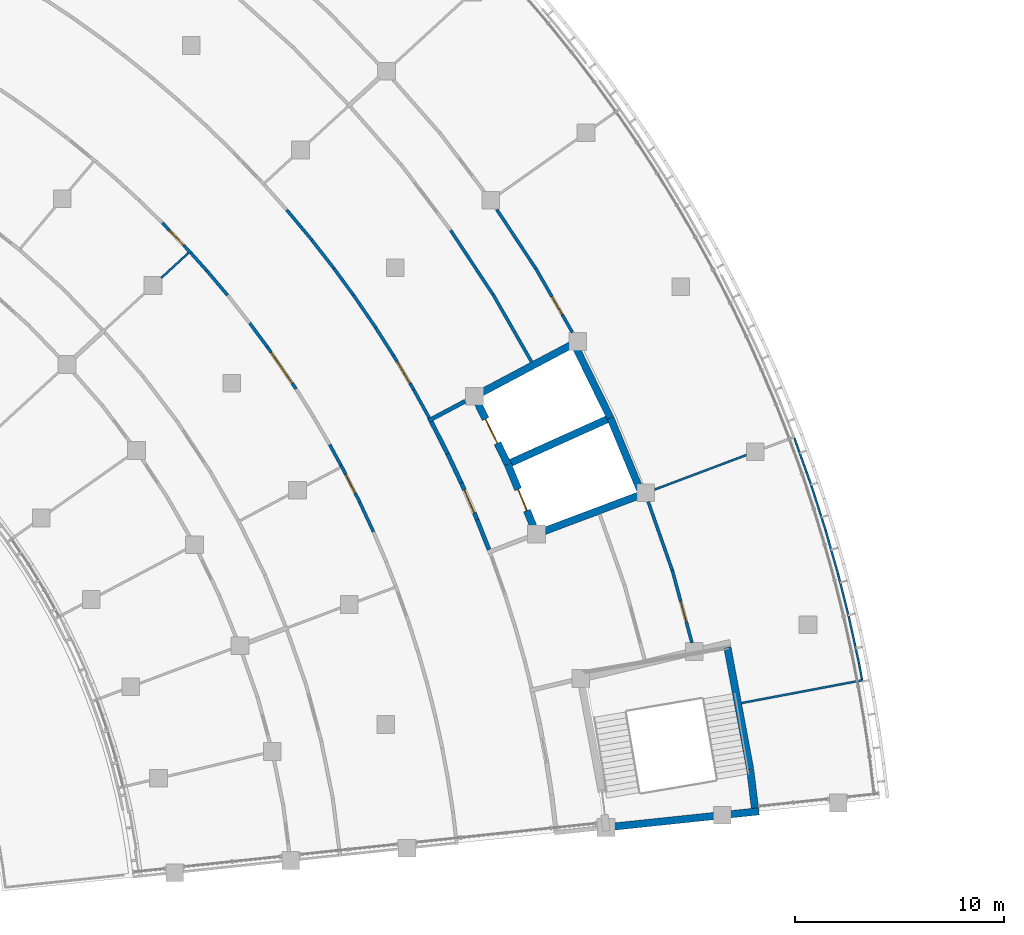
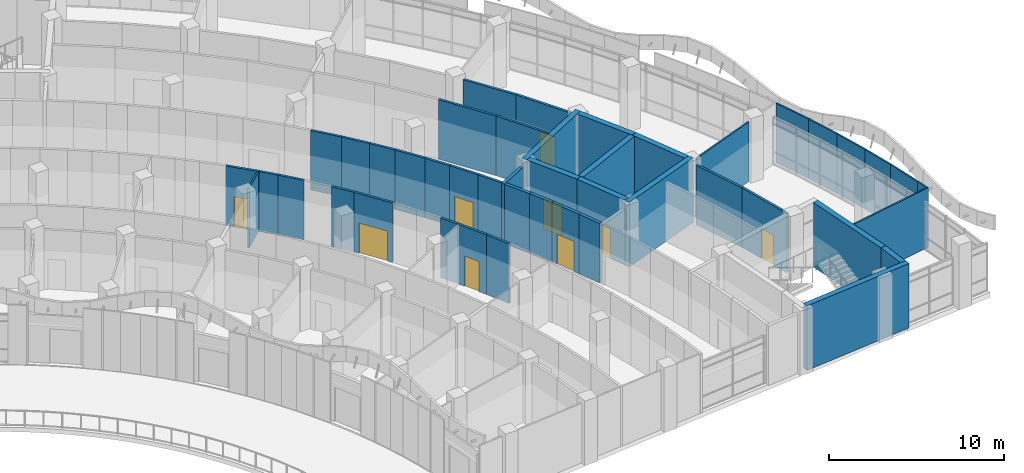
# One storey, part 78 of 136: 45 walls, 9 doors, 9 openings.
"""IFC4 building model written with IfcOpenShell, lengths in metres."""

from ifc_helpers import new_model, si_unit, direction, frame, frame_2d, origin, place, context, subcontext, project, spatial, rectangle, extrude, material, layer, layer_set, type_object, element, fill, save


model = new_model("IFC4")

# Units and contexts
model_context = context("Model", 3, precision=1e-05, world=origin(), true_north=direction((0.0, 1.0)))
body_context = subcontext(model_context, "Body", "Model", "MODEL_VIEW")
ifc_project = project(units=[si_unit("LENGTHUNIT", "METRE"), si_unit("AREAUNIT", "SQUARE_METRE"), si_unit("VOLUMEUNIT", "CUBIC_METRE"), si_unit("PLANEANGLEUNIT", "RADIAN"), si_unit("MASSUNIT", "GRAM", prefix="KILO")], contexts=[model_context])

# Site, building, storey
site_placement = place(None, origin())
site = spatial("IfcSite", under=ifc_project, at=site_placement, CompositionType="ELEMENT")
building_placement = place(site_placement, origin())
building = spatial("IfcBuilding", under=site, at=building_placement, Name="Bougainvillea Quay General Hospital", CompositionType="ELEMENT")
storey_placement = place(building_placement, frame((0.0, 0.0, 5.39990234375)))
storey = spatial("IfcBuildingStorey", under=building, at=storey_placement, Name="L01", CompositionType="ELEMENT", Elevation=5.39990234375)

# Walls
ifc_material_1 = material(Name="Gypsum board partition on steel studs", Category="steel")
ifc_layer_1 = layer(ifc_material_1, 0.10009765625)
ifc_layer_set_1 = layer_set([ifc_layer_1], Name="Gypsum board partition on steel studs")
wall_type_1 = type_object("IfcWallType", Name="Partition 100 Gypsum board partition EI 30", PredefinedType="PARTITIONING", material=ifc_layer_set_1)
wall_1_placement = place(storey_placement, frame((168.016357421875, 44.14013671875, 0.0), z_axis=(0.0, 0.0, 1.0), x_axis=(0.935850976525, 0.352396012659, 0.0)))
element("IfcWall", 1, at=wall_1_placement, inside=storey, type_object=wall_type_1, Name="Partition 100 mm EI 30", PredefinedType="PARTITIONING", context=body_context, shape_type="SweptSolid", body=[
    extrude(rectangle(XDim=4.708251953125, YDim=0.10009765625, at=frame_2d((2.35400390625, 0.0))), origin(), (0.0, 0.0, 1.0), 4.150146484375),
])
wall_2_placement = place(storey_placement, frame((172.18701171875, 33.90380859375, 0.0), z_axis=(0.0, 0.0, 1.0), x_axis=(0.982613852835, 0.185661025037, 0.0)))
element("IfcWall", 2, at=wall_2_placement, inside=storey, type_object=wall_type_1, Name="Partition 100 mm EI 30", PredefinedType="PARTITIONING", context=body_context, shape_type="SweptSolid", body=[
    extrude(rectangle(XDim=5.9384765625, YDim=0.10009765625, at=frame_2d((2.96923828125, 0.0))), origin(), (0.0, 0.0, 1.0), 4.150146484375),
])
wall_3_placement = place(storey_placement, frame((144.3603515625, 54.291015625, 0.0), z_axis=(0.0, 0.0, 1.0), x_axis=(0.736578706187, 0.676351838611, 0.0)))
element("IfcWall", 3, at=wall_3_placement, inside=storey, type_object=wall_type_1, Name="Partition 100 mm EI 30", PredefinedType="PARTITIONING", context=body_context, shape_type="SweptSolid", body=[
    extrude(rectangle(XDim=1.779541015625, YDim=0.10009765625, at=frame_2d((0.8896484375, 0.0))), origin(), (0.0, 0.0, 1.0), 4.150146484375),
])
wall_4_placement = place(storey_placement, frame((174.72314453125, 46.611083984375, 0.0), z_axis=(0.0, 0.0, 1.0), x_axis=(0.336762779461, -0.94158952329, 0.0)))
element("IfcWall", 4, at=wall_4_placement, inside=storey, type_object=wall_type_1, Name="Partition 100 mm EI 30", PredefinedType="PARTITIONING", context=body_context, shape_type="SweptSolid", body=[
    extrude(rectangle(XDim=2.46630859375, YDim=0.10009765625, at=frame_2d((1.233154296875, 0.0))), origin(), (0.0, 0.0, 1.0), 4.150146484375),
])
wall_5_placement = place(storey_placement, frame((177.336181640625, 38.039794921875, 0.0), z_axis=(0.0, 0.0, 1.0), x_axis=(0.213187334012, -0.977011341089, 0.0)))
element("IfcWall", 5, at=wall_5_placement, inside=storey, type_object=wall_type_1, Name="Partition 100 mm EI 30", PredefinedType="PARTITIONING", context=body_context, shape_type="SweptSolid", body=[
    extrude(rectangle(XDim=2.30078125, YDim=0.10009765625, at=frame_2d((1.150390625, 0.0))), origin(), (0.0, 0.0, 1.0), 4.150146484375),
])
wall_6_placement = place(storey_placement, frame((175.5517578125, 44.289794921875, 0.0), z_axis=(0.0, 0.0, 1.0), x_axis=(0.304461914253, -0.952524510325, 0.0)))
element("IfcWall", 6, at=wall_6_placement, inside=storey, type_object=wall_type_1, Name="Partition 100 mm EI 30", PredefinedType="PARTITIONING", context=body_context, shape_type="SweptSolid", body=[
    extrude(rectangle(XDim=2.201904296875, YDim=0.10009765625, at=frame_2d((1.10107421875, 0.0))), origin(), (0.0, 0.0, 1.0), 4.150146484375),
])
wall_7_placement = place(storey_placement, frame((176.22021484375, 42.193359375, 0.0), z_axis=(0.0, 0.0, 1.0), x_axis=(0.274105977671, -0.961699492048, 0.0)))
element("IfcWall", 7, at=wall_7_placement, inside=storey, type_object=wall_type_1, Name="Partition 100 mm EI 30", PredefinedType="PARTITIONING", context=body_context, shape_type="SweptSolid", body=[
    extrude(rectangle(XDim=2.20166015625, YDim=0.10009765625, at=frame_2d((1.100830078125, 0.0))), origin(), (0.0, 0.0, 1.0), 4.150146484375),
])
wall_8_placement = place(storey_placement, frame((176.82177734375, 40.076904296875, 0.0), z_axis=(0.0, 0.0, 1.0), x_axis=(0.244201941447, -0.969724399917, 0.0)))
element("IfcWall", 8, at=wall_8_placement, inside=storey, type_object=wall_type_1, Name="Partition 100 mm EI 30", PredefinedType="PARTITIONING", context=body_context, shape_type="SweptSolid", body=[
    extrude(rectangle(XDim=2.1025390625, YDim=0.10009765625, at=frame_2d((1.05126953125, 0.0))), origin(), (0.0, 0.0, 1.0), 4.150146484375),
])
wall_9_placement = place(storey_placement, frame((177.824951171875, 35.793212890625, 0.0), z_axis=(0.0, 0.0, 1.0), x_axis=(0.18287179521, -0.983136768978, 0.0)))
element("IfcWall", 9, at=wall_9_placement, inside=storey, type_object=wall_type_1, Name="Partition 100 mm EI 30", PredefinedType="PARTITIONING", context=body_context, shape_type="SweptSolid", body=[
    extrude(rectangle(XDim=0.759521484375, YDim=0.10009765625, at=frame_2d((0.3798828125, 0.0))), origin(), (0.0, 0.0, 1.0), 4.150146484375),
])

# Wall, opening, door
ifc_material_2 = material(Name="Gypsum board partition on steel studs, insulated", Category="steel")
ifc_layer_2 = layer(ifc_material_2, 0.14990234375)
ifc_layer_set_2 = layer_set([ifc_layer_2], Name="Gypsum board partition on steel studs, insulated")
wall_type_2 = type_object("IfcWallType", Name="Partition 150 Gypsum board partition EI 30", PredefinedType="PARTITIONING", material=ifc_layer_set_2)
wall_10_placement = place(storey_placement, frame((162.312744140625, 54.758056640625, 0.0), z_axis=(0.0, 0.0, 1.0), x_axis=(0.496582798362, -0.867989357291, 0.0)))
wall_10 = element("IfcWall", 10, at=wall_10_placement, inside=storey, type_object=wall_type_2, Name="Partition 150 mm EI 30", PredefinedType="PARTITIONING", context=body_context, shape_type="SweptSolid", body=[
    extrude(rectangle(XDim=3.553466796875, YDim=0.14990234375, at=frame_2d((1.77685546875, 0.0))), origin(), (0.0, 0.0, 1.0), 4.150146484375),
])
opening_1_placement = place(wall_10_placement, frame((1.56591796875, 0.0, 0.0)))
opening_1 = element("IfcOpeningElement", 11, at=opening_1_placement, cuts=wall_10, Name="Opening L01.272", PredefinedType="OPENING", context=body_context, shape_type="SweptSolid", body=[
    extrude(rectangle(XDim=1.0, YDim=2.10009765625, at=frame_2d((0.5, 1.050048828125))), frame((0.0, 0.0849609375, 0.0), z_axis=(0.0, -1.0, 0.0), x_axis=(1.0, 0.0, 0.0)), (0.0, 0.0, 1.0), 0.169921875),
])
ifc_material_3 = material(Name="Solid-core timber door leaf in steel frame", Category="steel")
door_type_1 = type_object("IfcDoorType", Name="Single leaf door 1000x2100 FD30S", OperationType="NOTDEFINED", PredefinedType="DOOR", material=ifc_material_3)
door_1_placement = place(opening_1_placement, origin())
door_1 = element("IfcDoor", 12, at=door_1_placement, inside=storey, type_object=door_type_1, Name="DT15 L01.272", OperationType="SINGLE_SWING_RIGHT", OverallHeight=2.10009765625, OverallWidth=1.0, PredefinedType="DOOR", context=body_context, shape_type="SweptSolid", body=[
    extrude(rectangle(XDim=1.0, YDim=2.10009765625, at=frame_2d((0.5, 1.050048828125))), frame((0.0, 0.02490234375, 0.0), z_axis=(0.0, -1.0, 0.0), x_axis=(1.0, 0.0, 0.0)), (0.0, 0.0, 1.0), 0.050048828125),
])
fill(opening_1, door_1)

# Wall
wall_11_placement = place(storey_placement, frame((160.44775390625, 57.575439453125, 0.0), z_axis=(0.0, 0.0, 1.0), x_axis=(0.550814058929, -0.834627984485, 0.0)))
element("IfcWall", 13, at=wall_11_placement, inside=storey, type_object=wall_type_2, Name="Partition 150 mm EI 30", PredefinedType="PARTITIONING", context=body_context, shape_type="SweptSolid", body=[
    extrude(rectangle(XDim=3.38330078125, YDim=0.14990234375, at=frame_2d((1.691650390625, 0.0))), origin(), (0.0, 0.0, 1.0), 4.150146484375),
])

# Wall, opening, door
wall_12_placement = place(storey_placement, frame((168.8623046875, 40.287353515625, 0.0), z_axis=(0.0, 0.0, 1.0), x_axis=(0.261268938462, -0.965266047157, 0.0)))
wall_12 = element("IfcWall", 14, at=wall_12_placement, inside=storey, type_object=wall_type_2, Name="Partition 150 mm EI 30", PredefinedType="PARTITIONING", context=body_context, shape_type="SweptSolid", body=[
    extrude(rectangle(XDim=3.621826171875, YDim=0.14990234375, at=frame_2d((1.81103515625, 0.0))), origin(), (0.0, 0.0, 1.0), 4.150146484375),
])
opening_2_placement = place(wall_12_placement, frame((1.565673828125, 0.0, 0.0)))
opening_2 = element("IfcOpeningElement", 15, at=opening_2_placement, cuts=wall_12, Name="Opening L01.273", PredefinedType="OPENING", context=body_context, shape_type="SweptSolid", body=[
    extrude(rectangle(XDim=1.0, YDim=2.10009765625, at=frame_2d((0.5, 1.050048828125))), frame((0.0, 0.0849609375, 0.0), z_axis=(0.0, -1.0, 0.0), x_axis=(1.0, 0.0, 0.0)), (0.0, 0.0, 1.0), 0.169921875),
])
door_2_placement = place(opening_2_placement, origin())
door_2 = element("IfcDoor", 16, at=door_2_placement, inside=storey, type_object=door_type_1, Name="DT15 L01.273", OperationType="SINGLE_SWING_RIGHT", OverallHeight=2.10009765625, OverallWidth=1.0, PredefinedType="DOOR", context=body_context, shape_type="SweptSolid", body=[
    extrude(rectangle(XDim=1.0, YDim=2.10009765625, at=frame_2d((0.5, 1.050048828125))), frame((0.0, 0.02490234375, 0.0), z_axis=(0.0, -1.0, 0.0), x_axis=(1.0, 0.0, 0.0)), (0.0, 0.0, 1.0), 0.050048828125),
])
fill(opening_2, door_2)

# Walls
wall_13_placement = place(storey_placement, frame((167.711181640625, 43.55859375, 0.0), z_axis=(0.0, 0.0, 1.0), x_axis=(0.330491338893, -0.9438090246, 0.0)))
element("IfcWall", 17, at=wall_13_placement, inside=storey, type_object=wall_type_2, Name="Partition 150 mm EI 30", PredefinedType="PARTITIONING", context=body_context, shape_type="SweptSolid", body=[
    extrude(rectangle(XDim=3.47265625, YDim=0.14990234375, at=frame_2d((1.736328125, 0.0))), origin(), (0.0, 0.0, 1.0), 4.150146484375),
])
wall_14_placement = place(storey_placement, frame((160.268798828125, 53.501220703125, 0.0), z_axis=(0.0, 0.0, 1.0), x_axis=(0.496371795626, -0.8681100394, 0.0)))
element("IfcWall", 18, at=wall_14_placement, inside=storey, type_object=wall_type_2, Name="Partition 150 mm EI 30", PredefinedType="PARTITIONING", context=body_context, shape_type="SweptSolid", body=[
    extrude(rectangle(XDim=3.725830078125, YDim=0.14990234375, at=frame_2d((1.86279296875, 0.0))), origin(), (0.0, 0.0, 1.0), 4.150146484375),
])
wall_15_placement = place(storey_placement, frame((158.23583984375, 56.5712890625, 0.0), z_axis=(0.0, 0.0, 1.0), x_axis=(0.550996276136, -0.834507701393, 0.0)))
element("IfcWall", 19, at=wall_15_placement, inside=storey, type_object=wall_type_2, Name="Partition 150 mm EI 30", PredefinedType="PARTITIONING", context=body_context, shape_type="SweptSolid", body=[
    extrude(rectangle(XDim=3.6865234375, YDim=0.14990234375, at=frame_2d((1.84326171875, 0.0))), origin(), (0.0, 0.0, 1.0), 4.150146484375),
])

# Wall, opening, door
wall_16_placement = place(storey_placement, frame((149.442626953125, 50.989990234375, 0.0), z_axis=(0.0, 0.0, 1.0), x_axis=(0.564305795339, -0.825565847977, 0.0)))
wall_16 = element("IfcWall", 20, at=wall_16_placement, inside=storey, type_object=wall_type_2, Name="Partition 150 mm EI 30", PredefinedType="PARTITIONING", context=body_context, shape_type="SweptSolid", body=[
    extrude(rectangle(XDim=2.453857421875, YDim=0.14990234375, at=frame_2d((1.22705078125, 0.0))), origin(), (0.0, 0.0, 1.0), 4.150146484375),
])
opening_3_placement = place(wall_16_placement, frame((0.326904296875, 0.0, 0.0)))
opening_3 = element("IfcOpeningElement", 21, at=opening_3_placement, cuts=wall_16, Name="Opening L01.247", PredefinedType="OPENING", context=body_context, shape_type="SweptSolid", body=[
    extrude(rectangle(XDim=1.800048828125, YDim=2.10009765625, at=frame_2d((0.89990234375, 1.050048828125))), frame((0.0, 0.0849609375, 0.0), z_axis=(0.0, -1.0, 0.0), x_axis=(1.0, 0.0, 0.0)), (0.0, 0.0, 1.0), 0.169921875),
])
ifc_material_4 = material(Name="Solid-core timber door leaves in steel frame", Category="steel")
door_type_2 = type_object("IfcDoorType", Name="Double leaf door 1800x2100", OperationType="DOUBLE_DOOR_SINGLE_SWING", PredefinedType="DOOR", material=ifc_material_4)
door_3_placement = place(opening_3_placement, origin())
door_3 = element("IfcDoor", 22, at=door_3_placement, inside=storey, type_object=door_type_2, Name="DT08 L01.247", OperationType="DOUBLE_DOOR_SINGLE_SWING", OverallHeight=2.10009765625, OverallWidth=1.800048828125, PredefinedType="DOOR", context=body_context, shape_type="SweptSolid", body=[
    extrude(rectangle(XDim=1.800048828125, YDim=2.10009765625, at=frame_2d((0.89990234375, 1.050048828125))), frame((0.0, 0.02490234375, 0.0), z_axis=(0.0, -1.0, 0.0), x_axis=(1.0, 0.0, 0.0)), (0.0, 0.0, 1.0), 0.050048828125),
])
fill(opening_3, door_3)

wall_17_placement = place(storey_placement, frame((152.97998046875, 45.303955078125, 0.0), z_axis=(0.0, 0.0, 1.0), x_axis=(0.45308978769, -0.89146488674, 0.0)))
wall_17 = element("IfcWall", 23, at=wall_17_placement, inside=storey, type_object=wall_type_2, Name="Partition 150 mm EI 30", PredefinedType="PARTITIONING", context=body_context, shape_type="SweptSolid", body=[
    extrude(rectangle(XDim=1.990966796875, YDim=0.14990234375, at=frame_2d((0.99560546875, 0.0))), origin(), (0.0, 0.0, 1.0), 4.150146484375),
])
opening_4_placement = place(wall_17_placement, frame((0.495361328125, 0.0, 0.0)))
opening_4 = element("IfcOpeningElement", 24, at=opening_4_placement, cuts=wall_17, Name="Opening L01.278", PredefinedType="OPENING", context=body_context, shape_type="SweptSolid", body=[
    extrude(rectangle(XDim=1.0, YDim=2.10009765625, at=frame_2d((0.5, 1.050048828125))), frame((0.0, 0.0849609375, 0.0), z_axis=(0.0, -1.0, 0.0), x_axis=(1.0, 0.0, 0.0)), (0.0, 0.0, 1.0), 0.169921875),
])
door_4_placement = place(opening_4_placement, frame((1.0, 0.0, 0.0), z_axis=(0.0, 0.0, 1.0), x_axis=(-1.0, 0.0, 0.0)))
door_4 = element("IfcDoor", 25, at=door_4_placement, inside=storey, type_object=door_type_1, Name="DT15 L01.278", OperationType="SINGLE_SWING_RIGHT", OverallHeight=2.10009765625, OverallWidth=1.0, PredefinedType="DOOR", context=body_context, shape_type="SweptSolid", body=[
    extrude(rectangle(XDim=1.0, YDim=2.10009765625, at=frame_2d((0.5, 1.050048828125))), frame((0.0, 0.02490234375, 0.0), z_axis=(0.0, -1.0, 0.0), x_axis=(1.0, 0.0, 0.0)), (0.0, 0.0, 1.0), 0.050048828125),
])
fill(opening_4, door_4)

wall_18_placement = place(storey_placement, frame((144.408203125, 56.933349609375, 0.0), z_axis=(0.0, 0.0, 1.0), x_axis=(0.689023586461, -0.724738916646, 0.0)))
wall_18 = element("IfcWall", 26, at=wall_18_placement, inside=storey, type_object=wall_type_2, Name="Partition 150 mm EI 30", PredefinedType="PARTITIONING", context=body_context, shape_type="SweptSolid", body=[
    extrude(rectangle(XDim=1.9892578125, YDim=0.14990234375, at=frame_2d((0.99462890625, 0.0))), origin(), (0.0, 0.0, 1.0), 4.150146484375),
])
opening_5_placement = place(wall_18_placement, frame((0.494384765625, 0.0, 0.0)))
opening_5 = element("IfcOpeningElement", 27, at=opening_5_placement, cuts=wall_18, Name="Opening L01.274", PredefinedType="OPENING", context=body_context, shape_type="SweptSolid", body=[
    extrude(rectangle(XDim=1.0, YDim=2.10009765625, at=frame_2d((0.5, 1.050048828125))), frame((0.0, 0.0849609375, 0.0), z_axis=(0.0, -1.0, 0.0), x_axis=(1.0, 0.0, 0.0)), (0.0, 0.0, 1.0), 0.169921875),
])
door_5_placement = place(opening_5_placement, frame((1.0, 0.0, 0.0), z_axis=(0.0, 0.0, 1.0), x_axis=(-1.0, 0.0, 0.0)))
door_5 = element("IfcDoor", 28, at=door_5_placement, inside=storey, type_object=door_type_1, Name="DT15 L01.274", OperationType="SINGLE_SWING_LEFT", OverallHeight=2.10009765625, OverallWidth=1.0, PredefinedType="DOOR", context=body_context, shape_type="SweptSolid", body=[
    extrude(rectangle(XDim=1.0, YDim=2.10009765625, at=frame_2d((0.5, 1.050048828125))), frame((0.0, 0.02490234375, 0.0), z_axis=(0.0, -1.0, 0.0), x_axis=(1.0, 0.0, 0.0)), (0.0, 0.0, 1.0), 0.050048828125),
])
fill(opening_5, door_5)

wall_19_placement = place(storey_placement, frame((155.497802734375, 50.56640625, 0.0), z_axis=(0.0, 0.0, 1.0), x_axis=(0.510320389621, -0.859984360287, 0.0)))
wall_19 = element("IfcWall", 29, at=wall_19_placement, inside=storey, type_object=wall_type_2, Name="Partition 150 mm EI 30", PredefinedType="PARTITIONING", context=body_context, shape_type="SweptSolid", body=[
    extrude(rectangle(XDim=1.885986328125, YDim=0.14990234375, at=frame_2d((0.94287109375, 0.0))), origin(), (0.0, 0.0, 1.0), 4.150146484375),
])
opening_6_placement = place(wall_19_placement, frame((0.343017578125, 0.0, 0.0)))
opening_6 = element("IfcOpeningElement", 30, at=opening_6_placement, cuts=wall_19, Name="Opening L01.244", PredefinedType="OPENING", context=body_context, shape_type="SweptSolid", body=[
    extrude(rectangle(XDim=1.199951171875, YDim=2.10009765625, at=frame_2d((0.60009765625, 1.050048828125))), frame((0.0, 0.0849609375, 0.0), z_axis=(0.0, -1.0, 0.0), x_axis=(1.0, 0.0, 0.0)), (0.0, 0.0, 1.0), 0.169921875),
])
door_type_3 = type_object("IfcDoorType", Name="Single leaf door 1200x2100", OperationType="NOTDEFINED", PredefinedType="DOOR", material=ifc_material_3)
door_6_placement = place(opening_6_placement, frame((1.199951171875, 0.0, 0.0), z_axis=(0.0, 0.0, 1.0), x_axis=(-1.0, 0.0, 0.0)))
door_6 = element("IfcDoor", 31, at=door_6_placement, inside=storey, type_object=door_type_3, Name="DT13 L01.244", OperationType="SINGLE_SWING_RIGHT", OverallHeight=2.10009765625, OverallWidth=1.199951171875, PredefinedType="DOOR", context=body_context, shape_type="SweptSolid", body=[
    extrude(rectangle(XDim=1.199951171875, YDim=2.10009765625, at=frame_2d((0.60009765625, 1.050048828125))), frame((0.0, 0.02490234375, 0.0), z_axis=(0.0, -1.0, 0.0), x_axis=(1.0, 0.0, 0.0)), (0.0, 0.0, 1.0), 0.050048828125),
])
fill(opening_6, door_6)

# Walls
wall_20_placement = place(storey_placement, frame((150.3720703125, 57.5576171875, 0.0), z_axis=(0.0, 0.0, 1.0), x_axis=(0.640540861144, -0.767924088178, 0.0)))
element("IfcWall", 32, at=wall_20_placement, inside=storey, type_object=wall_type_2, Name="Partition 150 mm EI 30", PredefinedType="PARTITIONING", context=body_context, shape_type="SweptSolid", body=[
    extrude(rectangle(XDim=1.885986328125, YDim=0.14990234375, at=frame_2d((0.94287109375, 0.0))), origin(), (0.0, 0.0, 1.0), 4.150146484375),
])
wall_21_placement = place(storey_placement, frame((151.57666015625, 56.109619140625, 0.0), z_axis=(0.0, 0.0, 1.0), x_axis=(0.615485903982, -0.788147893481, 0.0)))
element("IfcWall", 33, at=wall_21_placement, inside=storey, type_object=wall_type_2, Name="Partition 150 mm EI 30", PredefinedType="PARTITIONING", context=body_context, shape_type="SweptSolid", body=[
    extrude(rectangle(XDim=1.73779296875, YDim=0.14990234375, at=frame_2d((0.868896484375, 0.0))), origin(), (0.0, 0.0, 1.0), 4.150146484375),
])
wall_22_placement = place(storey_placement, frame((153.581787109375, 53.4599609375, 0.0), z_axis=(0.0, 0.0, 1.0), x_axis=(0.564047793024, -0.825742143277, 0.0)))
element("IfcWall", 34, at=wall_22_placement, inside=storey, type_object=wall_type_2, Name="Partition 150 mm EI 30", PredefinedType="PARTITIONING", context=body_context, shape_type="SweptSolid", body=[
    extrude(rectangle(XDim=1.885498046875, YDim=0.14990234375, at=frame_2d((0.94287109375, 0.0))), origin(), (0.0, 0.0, 1.0), 4.150146484375),
])
wall_23_placement = place(storey_placement, frame((152.642822265625, 54.740234375, 0.0), z_axis=(0.0, 0.0, 1.0), x_axis=(0.590151339463, -0.807292633764, 0.0)))
element("IfcWall", 35, at=wall_23_placement, inside=storey, type_object=wall_type_2, Name="Partition 150 mm EI 30", PredefinedType="PARTITIONING", context=body_context, shape_type="SweptSolid", body=[
    extrude(rectangle(XDim=1.58984375, YDim=0.14990234375, at=frame_2d((0.794921875, 0.0))), origin(), (0.0, 0.0, 1.0), 4.150146484375),
])
wall_24_placement = place(storey_placement, frame((156.45703125, 48.9453125, 0.0), z_axis=(0.0, 0.0, 1.0), x_axis=(0.482411223267, -0.875944867937, 0.0)))
element("IfcWall", 36, at=wall_24_placement, inside=storey, type_object=wall_type_2, Name="Partition 150 mm EI 30", PredefinedType="PARTITIONING", context=body_context, shape_type="SweptSolid", body=[
    extrude(rectangle(XDim=1.560302734375, YDim=0.14990234375, at=frame_2d((0.7802734375, 0.0))), origin(), (0.0, 0.0, 1.0), 4.150146484375),
])
wall_25_placement = place(storey_placement, frame((154.64208984375, 51.90380859375, 0.0), z_axis=(0.0, 0.0, 1.0), x_axis=(0.537610565613, -0.843193263577, 0.0)))
element("IfcWall", 37, at=wall_25_placement, inside=storey, type_object=wall_type_2, Name="Partition 150 mm EI 30", PredefinedType="PARTITIONING", context=body_context, shape_type="SweptSolid", body=[
    extrude(rectangle(XDim=1.58984375, YDim=0.14990234375, at=frame_2d((0.794921875, 0.0))), origin(), (0.0, 0.0, 1.0), 4.150146484375),
])
wall_26_placement = place(storey_placement, frame((153.87841796875, 43.5302734375, 0.0), z_axis=(0.0, 0.0, 1.0), x_axis=(0.421455751704, -0.906848967224, 0.0)))
element("IfcWall", 38, at=wall_26_placement, inside=storey, type_object=wall_type_2, Name="Partition 150 mm EI 30", PredefinedType="PARTITIONING", context=body_context, shape_type="SweptSolid", body=[
    extrude(rectangle(XDim=1.561767578125, YDim=0.14990234375, at=frame_2d((0.78076171875, 0.0))), origin(), (0.0, 0.0, 1.0), 4.150146484375),
])
wall_27_placement = place(storey_placement, frame((148.599365234375, 52.12158203125, 0.0), z_axis=(0.0, 0.0, 1.0), x_axis=(0.595875663086, -0.803076705017, 0.0)))
element("IfcWall", 39, at=wall_27_placement, inside=storey, type_object=wall_type_2, Name="Partition 150 mm EI 30", PredefinedType="PARTITIONING", context=body_context, shape_type="SweptSolid", body=[
    extrude(rectangle(XDim=1.413818359375, YDim=0.14990234375, at=frame_2d((0.70703125, 0.0))), origin(), (0.0, 0.0, 1.0), 4.150146484375),
])
wall_28_placement = place(storey_placement, frame((146.53369140625, 54.6513671875, 0.0), z_axis=(0.0, 0.0, 1.0), x_axis=(0.645184874707, -0.764026490018, 0.0)))
element("IfcWall", 40, at=wall_28_placement, inside=storey, type_object=wall_type_2, Name="Partition 150 mm EI 30", PredefinedType="PARTITIONING", context=body_context, shape_type="SweptSolid", body=[
    extrude(rectangle(XDim=1.561279296875, YDim=0.14990234375, at=frame_2d((0.78076171875, 0.0))), origin(), (0.0, 0.0, 1.0), 4.150146484375),
])
wall_29_placement = place(storey_placement, frame((145.775634765625, 55.49169921875, 0.0), z_axis=(0.0, 0.0, 1.0), x_axis=(0.668310227337, -0.743882678946, 0.0)))
element("IfcWall", 41, at=wall_29_placement, inside=storey, type_object=wall_type_2, Name="Partition 150 mm EI 30", PredefinedType="PARTITIONING", context=body_context, shape_type="SweptSolid", body=[
    extrude(rectangle(XDim=1.134033203125, YDim=0.14990234375, at=frame_2d((0.56689453125, 0.0))), origin(), (0.0, 0.0, 1.0), 4.150146484375),
])
wall_30_placement = place(storey_placement, frame((152.43701171875, 46.294921875, 0.0), z_axis=(0.0, 0.0, 1.0), x_axis=(0.478761469216, -0.877945018549, 0.0)))
element("IfcWall", 42, at=wall_30_placement, inside=storey, type_object=wall_type_2, Name="Partition 150 mm EI 30", PredefinedType="PARTITIONING", context=body_context, shape_type="SweptSolid", body=[
    extrude(rectangle(XDim=1.132080078125, YDim=0.14990234375, at=frame_2d((0.56591796875, 0.0))), origin(), (0.0, 0.0, 1.0), 4.150146484375),
])
ifc_material_5 = material(Name="Fire-rated autoclaved aerated block wall, plastered")
ifc_layer_3 = layer(ifc_material_5, 0.199951171875)
ifc_layer_set_3 = layer_set([ifc_layer_3], Name="Fire-rated autoclaved aerated block wall, plastered")
wall_type_3 = type_object("IfcWallType", Name="Partition 200 Fire-rated autoclaved aerated block wall EI 120", PredefinedType="SOLIDWALL", material=ifc_layer_set_3)
wall_31_placement = place(storey_placement, frame((157.170654296875, 47.442138671875, 0.0), z_axis=(0.0, 0.0, 1.0), x_axis=(0.883475149074, 0.468478026133, 0.0)))
element("IfcWall", 43, at=wall_31_placement, inside=storey, type_object=wall_type_3, Name="Partition 200 mm EI 120", PredefinedType="SOLIDWALL", context=body_context, shape_type="SweptSolid", body=[
    extrude(rectangle(XDim=1.994873046875, YDim=0.199951171875, at=frame_2d((0.99755859375, 0.0))), origin(), (0.0, 0.0, 1.0), 4.150146484375),
])

# Wall, opening, door
wall_32_placement = place(storey_placement, frame((158.747314453125, 44.46484375, 0.0), z_axis=(0.0, 0.0, 1.0), x_axis=(0.396322487651, -0.918111368943, 0.0)))
wall_32 = element("IfcWall", 44, at=wall_32_placement, inside=storey, type_object=wall_type_3, Name="Partition 200 mm EI 120", PredefinedType="SOLIDWALL", context=body_context, shape_type="SweptSolid", body=[
    extrude(rectangle(XDim=1.93603515625, YDim=0.199951171875, at=frame_2d((0.968017578125, 0.0))), origin(), (0.0, 0.0, 1.0), 4.150146484375),
])
opening_7_placement = place(wall_32_placement, frame((0.3681640625, 0.0, 0.0)))
opening_7 = element("IfcOpeningElement", 45, at=opening_7_placement, cuts=wall_32, Name="Opening L01.236", PredefinedType="OPENING", context=body_context, shape_type="SweptSolid", body=[
    extrude(rectangle(XDim=1.199951171875, YDim=2.10009765625, at=frame_2d((0.60009765625, 1.050048828125))), frame((0.0, 0.10986328125, 0.0), z_axis=(0.0, -1.0, 0.0), x_axis=(1.0, 0.0, 0.0)), (0.0, 0.0, 1.0), 0.219970703125),
])
door_type_4 = type_object("IfcDoorType", Name="Single leaf door 1200x2100 FD60", OperationType="NOTDEFINED", PredefinedType="DOOR", material=ifc_material_3)
door_7_placement = place(opening_7_placement, origin())
door_7 = element("IfcDoor", 46, at=door_7_placement, inside=storey, type_object=door_type_4, Name="DT12 L01.236", OperationType="SINGLE_SWING_LEFT", OverallHeight=2.10009765625, OverallWidth=1.199951171875, PredefinedType="DOOR", context=body_context, shape_type="SweptSolid", body=[
    extrude(rectangle(XDim=1.199951171875, YDim=2.10009765625, at=frame_2d((0.60009765625, 1.050048828125))), frame((0.0, 0.02490234375, 0.0), z_axis=(0.0, -1.0, 0.0), x_axis=(1.0, 0.0, 0.0)), (0.0, 0.0, 1.0), 0.050048828125),
])
fill(opening_7, door_7)

# Walls
wall_33_placement = place(storey_placement, frame((157.30517578125, 47.398681640625, 0.0), z_axis=(0.0, 0.0, 1.0), x_axis=(0.454575201636, -0.890708361955, 0.0)))
element("IfcWall", 47, at=wall_33_placement, inside=storey, type_object=wall_type_3, Name="Partition 200 mm EI 120", PredefinedType="SOLIDWALL", context=body_context, shape_type="SweptSolid", body=[
    extrude(rectangle(XDim=1.734130859375, YDim=0.199951171875, at=frame_2d((0.8671875, 0.0))), origin(), (0.0, 0.0, 1.0), 4.150146484375),
])
wall_34_placement = place(storey_placement, frame((158.08935546875, 45.855224609375, 0.0), z_axis=(0.0, 0.0, 1.0), x_axis=(0.42579703633, -0.904818702201, 0.0)))
element("IfcWall", 48, at=wall_34_placement, inside=storey, type_object=wall_type_3, Name="Partition 200 mm EI 120", PredefinedType="SOLIDWALL", context=body_context, shape_type="SweptSolid", body=[
    extrude(rectangle(XDim=1.541259765625, YDim=0.199951171875, at=frame_2d((0.7705078125, 0.0))), origin(), (0.0, 0.0, 1.0), 4.150146484375),
])
wall_35_placement = place(storey_placement, frame((159.510498046875, 42.688720703125, 0.0), z_axis=(0.0, 0.0, 1.0), x_axis=(0.367195475631, -0.930143796773, 0.0)))
element("IfcWall", 49, at=wall_35_placement, inside=storey, type_object=wall_type_3, Name="Partition 200 mm EI 120", PredefinedType="SOLIDWALL", context=body_context, shape_type="SweptSolid", body=[
    extrude(rectangle(XDim=1.53662109375, YDim=0.199951171875, at=frame_2d((0.768310546875, 0.0))), origin(), (0.0, 0.0, 1.0), 4.150146484375),
])
ifc_material_6 = material(Name="Concrete C40", Category="concrete")
ifc_layer_4 = layer(ifc_material_6, 0.35009765625)
ifc_layer_set_4 = layer_set([ifc_layer_4], Name="Concrete C40")
wall_type_4 = type_object("IfcWallType", Name="RC SHEAR WALL 350 C40", PredefinedType="SHEAR", material=ifc_layer_set_4)
wall_36_placement = place(storey_placement, frame((159.224365234375, 48.531005859375, 0.0), z_axis=(0.0, 0.0, 1.0), x_axis=(0.883393138637, 0.468632652094, 0.0)))
element("IfcWall", 50, at=wall_36_placement, inside=storey, type_object=wall_type_4, Name="Shear wall L01", PredefinedType="SHEAR", context=body_context, shape_type="SweptSolid", body=[
    extrude(rectangle(XDim=5.7509765625, YDim=0.35009765625, at=frame_2d((2.87548828125, 0.0))), origin(), (0.0, 0.0, 1.0), 4.5),
])

# Wall, opening, door
wall_37_placement = place(storey_placement, frame((159.4560546875, 48.455810546875, 0.0), z_axis=(0.0, 0.0, 1.0), x_axis=(0.440221126053, -0.89788939195, 0.0)))
wall_37 = element("IfcWall", 51, at=wall_37_placement, inside=storey, type_object=wall_type_4, Name="Shear wall L01", PredefinedType="SHEAR", context=body_context, shape_type="SweptSolid", body=[
    extrude(rectangle(XDim=3.4423828125, YDim=0.35009765625, at=frame_2d((1.72119140625, 0.0))), origin(), (0.0, 0.0, 1.0), 4.5),
])
opening_8_placement = place(wall_37_placement, frame((1.031005859375, 0.0, 0.0)))
opening_8 = element("IfcOpeningElement", 52, at=opening_8_placement, cuts=wall_37, Name="Opening LD-E1.1-L01", PredefinedType="OPENING", context=body_context, shape_type="SweptSolid", body=[
    extrude(rectangle(XDim=1.300048828125, YDim=2.10009765625, at=frame_2d((0.64990234375, 1.050048828125))), frame((0.0, 0.18505859375, 0.0), z_axis=(0.0, -1.0, 0.0), x_axis=(1.0, 0.0, 0.0)), (0.0, 0.0, 1.0), 0.3701171875),
])
ifc_material_7 = material(Name="Stainless steel centre-opening landing door", Category="steel")
door_type_5 = type_object("IfcDoorType", Name="Lift landing door 1300x2100 E 120", OperationType="DOUBLE_DOOR_SLIDING", PredefinedType="DOOR", material=ifc_material_7)
door_8_placement = place(opening_8_placement, origin())
door_8 = element("IfcDoor", 53, at=door_8_placement, inside=storey, type_object=door_type_5, Name="Lift landing door LB-E1-1 L01", OperationType="DOUBLE_DOOR_SLIDING", OverallHeight=2.10009765625, OverallWidth=1.300048828125, PredefinedType="DOOR", context=body_context, shape_type="SweptSolid", body=[
    extrude(rectangle(XDim=1.300048828125, YDim=2.10009765625, at=frame_2d((0.64990234375, 1.050048828125))), frame((0.0, 0.02490234375, 0.0), z_axis=(0.0, -1.0, 0.0), x_axis=(1.0, 0.0, 0.0)), (0.0, 0.0, 1.0), 0.050048828125),
])
fill(opening_8, door_8)

wall_38_placement = place(storey_placement, frame((160.97607421875, 45.354736328125, 0.0), z_axis=(0.0, 0.0, 1.0), x_axis=(0.381990591944, -0.924166212143, 0.0)))
wall_38 = element("IfcWall", 54, at=wall_38_placement, inside=storey, type_object=wall_type_4, Name="Shear wall L01", PredefinedType="SHEAR", context=body_context, shape_type="SweptSolid", body=[
    extrude(rectangle(XDim=3.44287109375, YDim=0.35009765625, at=frame_2d((1.721435546875, 0.0))), origin(), (0.0, 0.0, 1.0), 4.5),
])
opening_9_placement = place(wall_38_placement, frame((1.300048828125, 0.0, 0.0)))
opening_9 = element("IfcOpeningElement", 55, at=opening_9_placement, cuts=wall_38, Name="Opening LD-E1.2-L01", PredefinedType="OPENING", context=body_context, shape_type="SweptSolid", body=[
    extrude(rectangle(XDim=1.10009765625, YDim=2.10009765625, at=frame_2d((0.550048828125, 1.050048828125))), frame((0.0, 0.18505859375, 0.0), z_axis=(0.0, -1.0, 0.0), x_axis=(1.0, 0.0, 0.0)), (0.0, 0.0, 1.0), 0.3701171875),
])
door_type_6 = type_object("IfcDoorType", Name="Lift landing door 1100x2100 E 120", OperationType="DOUBLE_DOOR_SLIDING", PredefinedType="DOOR", material=ifc_material_7)
door_9_placement = place(opening_9_placement, origin())
door_9 = element("IfcDoor", 56, at=door_9_placement, inside=storey, type_object=door_type_6, Name="Lift landing door LB-E1-2 L01", OperationType="DOUBLE_DOOR_SLIDING", OverallHeight=2.10009765625, OverallWidth=1.10009765625, PredefinedType="DOOR", context=body_context, shape_type="SweptSolid", body=[
    extrude(rectangle(XDim=1.10009765625, YDim=2.10009765625, at=frame_2d((0.550048828125, 1.050048828125))), frame((0.0, 0.02490234375, 0.0), z_axis=(0.0, -1.0, 0.0), x_axis=(1.0, 0.0, 0.0)), (0.0, 0.0, 1.0), 0.050048828125),
])
fill(opening_9, door_9)

# Walls
wall_39_placement = place(storey_placement, frame((161.133544921875, 45.431884765625, 0.0), z_axis=(0.0, 0.0, 1.0), x_axis=(0.911564728385, 0.411156595427, 0.0)))
element("IfcWall", 57, at=wall_39_placement, inside=storey, type_object=wall_type_4, Name="Shear wall L01", PredefinedType="SHEAR", context=body_context, shape_type="SweptSolid", body=[
    extrude(rectangle(XDim=5.049560546875, YDim=0.35009765625, at=frame_2d((2.52490234375, 0.0))), origin(), (0.0, 0.0, 1.0), 4.5),
])
wall_40_placement = place(storey_placement, frame((162.1943359375, 41.949462890625, 0.0), z_axis=(0.0, 0.0, 1.0), x_axis=(0.935920223106, 0.352212061095, 0.0)))
element("IfcWall", 58, at=wall_40_placement, inside=storey, type_object=wall_type_4, Name="Shear wall L01", PredefinedType="SHEAR", context=body_context, shape_type="SweptSolid", body=[
    extrude(rectangle(XDim=5.749755859375, YDim=0.35009765625, at=frame_2d((2.875, 0.0))), origin(), (0.0, 0.0, 1.0), 4.5),
])
wall_41_placement = place(storey_placement, frame((165.862060546875, 27.959228515625, 0.0), z_axis=(0.0, 0.0, 1.0), x_axis=(0.99451418157, 0.104601829128, 0.0)))
element("IfcWall", 59, at=wall_41_placement, inside=storey, type_object=wall_type_4, Name="Shear wall L01", PredefinedType="SHEAR", context=body_context, shape_type="SweptSolid", body=[
    extrude(rectangle(XDim=7.200439453125, YDim=0.35009765625, at=frame_2d((3.60009765625, 0.0))), origin(), (0.0, 0.0, 1.0), 4.5),
])
wall_42_placement = place(storey_placement, frame((165.8935546875, 47.5849609375, 0.0), z_axis=(0.0, 0.0, 1.0), x_axis=(-0.43992897418, 0.898032570499, 0.0)))
element("IfcWall", 60, at=wall_42_placement, inside=storey, type_object=wall_type_4, Name="Shear wall L01", PredefinedType="SHEAR", context=body_context, shape_type="SweptSolid", body=[
    extrude(rectangle(XDim=3.7880859375, YDim=0.35009765625, at=frame_2d((1.89404296875, 0.0))), origin(), (0.0, 0.0, 1.0), 4.5),
])
wall_43_placement = place(storey_placement, frame((167.34521484375, 44.07470703125, 0.0), z_axis=(0.0, 0.0, 1.0), x_axis=(-0.382046231428, 0.924143212415, 0.0)))
element("IfcWall", 61, at=wall_43_placement, inside=storey, type_object=wall_type_4, Name="Shear wall L01", PredefinedType="SHEAR", context=body_context, shape_type="SweptSolid", body=[
    extrude(rectangle(XDim=3.78759765625, YDim=0.35009765625, at=frame_2d((1.893798828125, 0.0))), origin(), (0.0, 0.0, 1.0), 4.5),
])
wall_44_placement = place(storey_placement, frame((172.603759765625, 30.715576171875, 0.0), z_axis=(0.0, 0.0, 1.0), x_axis=(0.120401871373, -0.992725233572, 0.0)))
element("IfcWall", 62, at=wall_44_placement, inside=storey, type_object=wall_type_4, Name="Shear wall L01", PredefinedType="SHEAR", context=body_context, shape_type="SweptSolid", body=[
    extrude(rectangle(XDim=1.861328125, YDim=0.35009765625, at=frame_2d((0.9306640625, 0.0))), origin(), (0.0, 0.0, 1.0), 4.5),
])
wall_45_placement = place(storey_placement, frame((172.60205078125, 30.7265625, 0.0), z_axis=(0.0, 0.0, 1.0), x_axis=(-0.18353204361, 0.983013727762, 0.0)))
element("IfcWall", 63, at=wall_45_placement, inside=storey, type_object=wall_type_4, Name="Shear wall L01", PredefinedType="SHEAR", context=body_context, shape_type="SweptSolid", body=[
    extrude(rectangle(XDim=5.943603515625, YDim=0.35009765625, at=frame_2d((2.9716796875, 0.0))), origin(), (0.0, 0.0, 1.0), 4.5),
])

save(model, "model.ifc")
